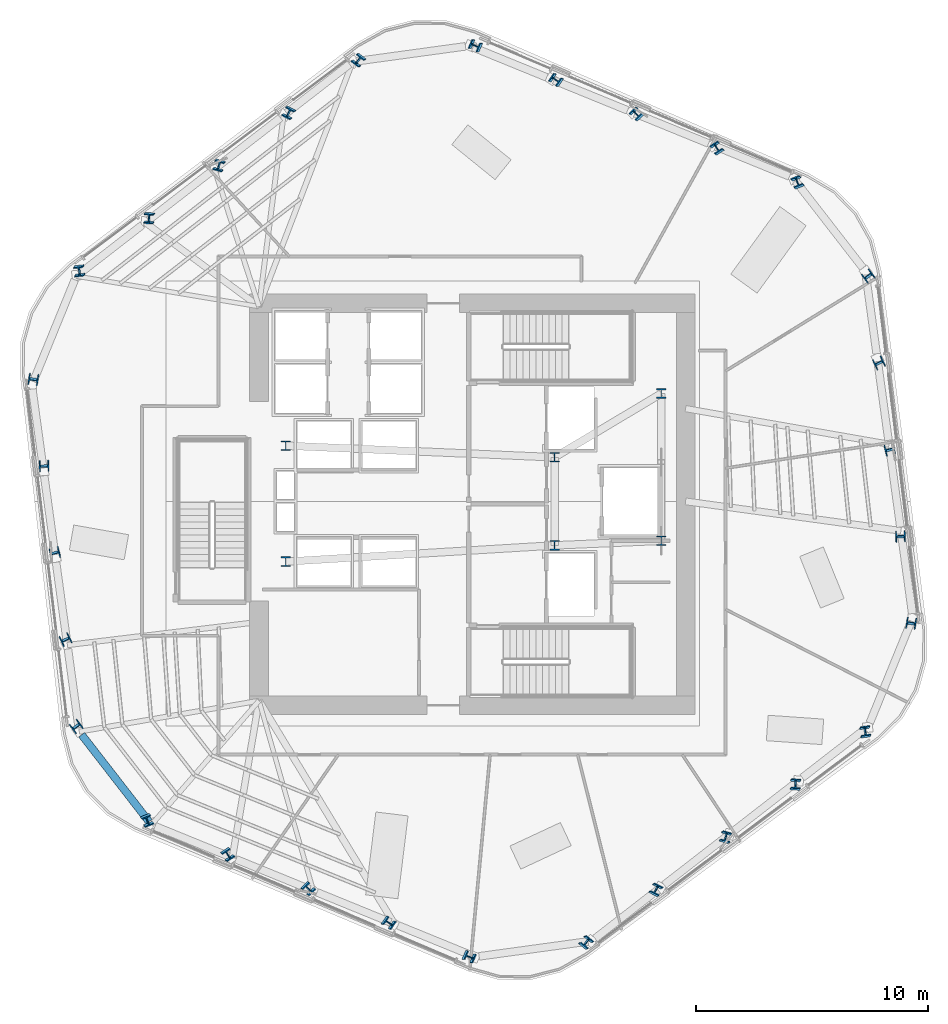
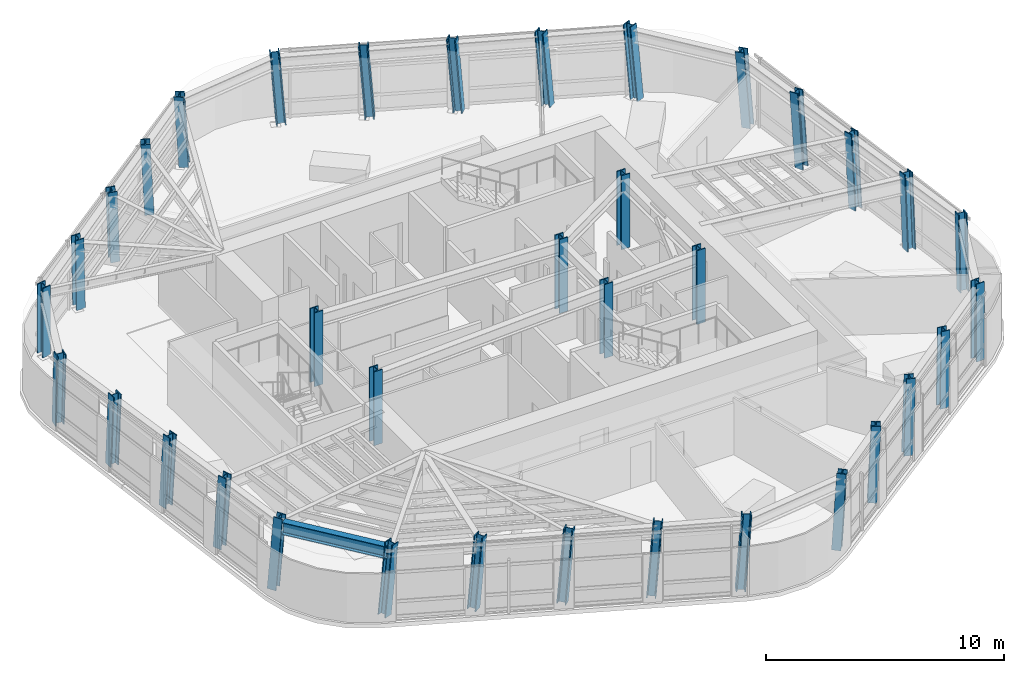
# One storey, part 1 of 14: 36 columns, 1 beam.
"""IFC4 building model written with IfcOpenShell, lengths in metres."""

from ifc_helpers import new_model, si_unit, direction, frame, origin, origin_2d, place, context, subcontext, project, spatial, i_section, extrude, material, material_profile, profile_set, type_object, element, save


model = new_model("IFC4")

# Units and contexts
model_context = context("Model", 3, precision=1e-05, world=origin(), true_north=direction((0.0, 1.0)))
body_context = subcontext(model_context, "Body", "Model", "MODEL_VIEW")
ifc_project = project(units=[si_unit("LENGTHUNIT", "METRE"), si_unit("AREAUNIT", "SQUARE_METRE"), si_unit("VOLUMEUNIT", "CUBIC_METRE"), si_unit("PLANEANGLEUNIT", "RADIAN"), si_unit("MASSUNIT", "GRAM", prefix="KILO")], contexts=[model_context])

# Site, building, storey
site_placement = place(None, origin())
site = spatial("IfcSite", under=ifc_project, at=site_placement, CompositionType="ELEMENT")
building_placement = place(site_placement, origin())
building = spatial("IfcBuilding", under=site, at=building_placement, Name="Valkerne Bourse Tower", CompositionType="ELEMENT")
storey_placement = place(building_placement, frame((0.0, 0.0, 181.800048828125)))
storey = spatial("IfcBuildingStorey", under=building, at=storey_placement, Name="L46", CompositionType="ELEMENT", Elevation=181.800048828125)

# Columns
ifc_material_1 = material(Name="Steel ASTM A913 Grade 65", Category="steel")
ifc_material_profile_1 = material_profile(ifc_material_1, i_section(OverallWidth=0.406494140625, OverallDepth=0.41650390625, WebThickness=0.02978515625, FlangeThickness=0.048095703125, FilletRadius=0.025390625, at=origin_2d()), Name="W14X257")
ifc_profile_set_1 = profile_set([ifc_material_profile_1], Name="Steel ASTM A913 Grade 65")
column_type_1 = type_object("IfcColumnType", Name="COL-W14X257", PredefinedType="COLUMN", material=ifc_profile_set_1)
column_1_placement = place(storey_placement, frame((60.855712890625, 40.7294921875, 0.010009765625), z_axis=(-0.057341361863, 0.05772749898, 0.996684254958), x_axis=(0.928165883616, 0.370795105229, 0.031923070505)))
element("IfcColumn", 1, at=column_1_placement, inside=storey, type_object=column_type_1, Name="L46 Helical Perimeter Tube Column F1-C1", PredefinedType="COLUMN", context=body_context, shape_type="SweptSolid", body=[
    extrude(i_section(OverallWidth=0.406494140625, OverallDepth=0.41650390625, WebThickness=0.02978515625, FlangeThickness=0.048095703125, FilletRadius=0.025390625, at=origin_2d()), origin(), (0.0, 0.0, 1.0), 3.793701171875),
])
column_2_placement = place(storey_placement, frame((57.386962890625, 42.208984375, 0.010009765625), z_axis=(-0.063349751811, 0.043327624968, 0.997050412898), x_axis=(0.842153931218, 0.538395806817, 0.030111647855)))
element("IfcColumn", 2, at=column_2_placement, inside=storey, type_object=column_type_1, Name="L46 Helical Perimeter Tube Column F1-C2", PredefinedType="COLUMN", context=body_context, shape_type="SweptSolid", body=[
    extrude(i_section(OverallWidth=0.406494140625, OverallDepth=0.41650390625, WebThickness=0.02978515625, FlangeThickness=0.048095703125, FilletRadius=0.025390625, at=origin_2d()), origin(), (0.0, 0.0, 1.0), 3.792236328125),
])
column_3_placement = place(storey_placement, frame((53.918212890625, 43.6884765625, 0.010009765625), z_axis=(-0.069345520274, 0.028974451368, 0.997171840751), x_axis=(0.715600832214, 0.697886818903, 0.029486216038)))
element("IfcColumn", 3, at=column_3_placement, inside=storey, type_object=column_type_1, Name="L46 Helical Perimeter Tube Column F1-C3", PredefinedType="COLUMN", context=body_context, shape_type="SweptSolid", body=[
    extrude(i_section(OverallWidth=0.406494140625, OverallDepth=0.41650390625, WebThickness=0.02978515625, FlangeThickness=0.048095703125, FilletRadius=0.025390625, at=origin_2d()), origin(), (0.0, 0.0, 1.0), 3.791748046875),
])
column_4_placement = place(storey_placement, frame((50.44970703125, 45.16796875, 0.010009765625), z_axis=(-0.075388602991, 0.014549807238, 0.99704807389), x_axis=(0.558397636682, 0.829026326516, 0.030123567041)))
element("IfcColumn", 4, at=column_4_placement, inside=storey, type_object=column_type_1, Name="L46 Helical Perimeter Tube Column F1-C4", PredefinedType="COLUMN", context=body_context, shape_type="SweptSolid", body=[
    extrude(i_section(OverallWidth=0.406494140625, OverallDepth=0.41650390625, WebThickness=0.02978515625, FlangeThickness=0.048095703125, FilletRadius=0.025390625, at=origin_2d()), origin(), (0.0, 0.0, 1.0), 3.792236328125),
])
column_5_placement = place(storey_placement, frame((46.98095703125, 46.6474609375, 0.010009765625), z_axis=(-0.081346352379, 0.000128712583, 0.996685885516), x_axis=(0.392491788923, 0.919201617444, 0.03191523329)))
element("IfcColumn", 5, at=column_5_placement, inside=storey, type_object=column_type_1, Name="L46 Helical Perimeter Tube Column F1-C5", PredefinedType="COLUMN", context=body_context, shape_type="SweptSolid", body=[
    extrude(i_section(OverallWidth=0.406494140625, OverallDepth=0.41650390625, WebThickness=0.02978515625, FlangeThickness=0.048095703125, FilletRadius=0.025390625, at=origin_2d()), origin(), (0.0, 0.0, 1.0), 3.79345703125),
])
column_6_placement = place(storey_placement, frame((41.937744140625, 46.037109375, 0.010009765625), z_axis=(-0.078707465224, -0.020722652332, 0.996682349898), x_axis=(-0.782314081727, 0.62096424237, -0.048868059399)))
element("IfcColumn", 6, at=column_6_placement, inside=storey, type_object=column_type_1, Name="L46 Helical Perimeter Tube Column F2-C1", PredefinedType="COLUMN", context=body_context, shape_type="SweptSolid", body=[
    extrude(i_section(OverallWidth=0.406494140625, OverallDepth=0.41650390625, WebThickness=0.02978515625, FlangeThickness=0.048095703125, FilletRadius=0.025390625, at=origin_2d()), origin(), (0.0, 0.0, 1.0), 3.793701171875),
])
column_7_placement = place(storey_placement, frame((38.922119140625, 43.77294921875, 0.010009765625), z_axis=(-0.069208364304, -0.033155634992, 0.997051105099), x_axis=(-0.885395278084, 0.462549626565, -0.046076507152)))
element("IfcColumn", 7, at=column_7_placement, inside=storey, type_object=column_type_1, Name="L46 Helical Perimeter Tube Column F2-C2", PredefinedType="COLUMN", context=body_context, shape_type="SweptSolid", body=[
    extrude(i_section(OverallWidth=0.406494140625, OverallDepth=0.41650390625, WebThickness=0.02978515625, FlangeThickness=0.048095703125, FilletRadius=0.025390625, at=origin_2d()), origin(), (0.0, 0.0, 1.0), 3.792236328125),
])
column_8_placement = place(storey_placement, frame((35.906494140625, 41.5087890625, 0.010009765625), z_axis=(-0.059751755135, -0.045586468357, 0.997171801477), x_axis=(-0.961063161584, 0.272619380687, -0.045125078609)))
element("IfcColumn", 8, at=column_8_placement, inside=storey, type_object=column_type_1, Name="L46 Helical Perimeter Tube Column F2-C3", PredefinedType="COLUMN", context=body_context, shape_type="SweptSolid", body=[
    extrude(i_section(OverallWidth=0.406494140625, OverallDepth=0.41650390625, WebThickness=0.02978515625, FlangeThickness=0.048095703125, FilletRadius=0.025390625, at=origin_2d()), origin(), (0.0, 0.0, 1.0), 3.791748046875),
])
column_9_placement = place(storey_placement, frame((32.890869140625, 39.24462890625, 0.010009765625), z_axis=(-0.050280586385, -0.058006156636, 0.997049220663), x_axis=(-0.996380129698, 0.071429951318, -0.046091205214)))
element("IfcColumn", 9, at=column_9_placement, inside=storey, type_object=column_type_1, Name="L46 Helical Perimeter Tube Column F2-C4", PredefinedType="COLUMN", context=body_context, shape_type="SweptSolid", body=[
    extrude(i_section(OverallWidth=0.406494140625, OverallDepth=0.41650390625, WebThickness=0.02978515625, FlangeThickness=0.048095703125, FilletRadius=0.025390625, at=origin_2d()), origin(), (0.0, 0.0, 1.0), 3.792236328125),
])
column_10_placement = place(storey_placement, frame((29.875244140625, 36.98046875, 0.010009765625), z_axis=(-0.040801796504, -0.07040562362, 0.996683631633), x_axis=(-0.991953344275, -0.116796389619, -0.048858634372)))
element("IfcColumn", 10, at=column_10_placement, inside=storey, type_object=column_type_1, Name="L46 Helical Perimeter Tube Column F2-C5", PredefinedType="COLUMN", context=body_context, shape_type="SweptSolid", body=[
    extrude(i_section(OverallWidth=0.406494140625, OverallDepth=0.41650390625, WebThickness=0.02978515625, FlangeThickness=0.048095703125, FilletRadius=0.025390625, at=origin_2d()), origin(), (0.0, 0.0, 1.0), 3.793701171875),
])
column_11_placement = place(storey_placement, frame((27.882080078125, 32.3076171875, 0.010009765625), z_axis=(-0.021366355792, -0.078450565392, 0.996689012496), x_axis=(-0.144100866209, -0.986265351619, -0.080719245251)))
element("IfcColumn", 11, at=column_11_placement, inside=storey, type_object=column_type_1, Name="L46 Helical Perimeter Tube Column F3-C1", PredefinedType="COLUMN", context=body_context, shape_type="SweptSolid", body=[
    extrude(i_section(OverallWidth=0.406494140625, OverallDepth=0.41650390625, WebThickness=0.02978515625, FlangeThickness=0.048095703125, FilletRadius=0.025390625, at=origin_2d()), origin(), (0.0, 0.0, 1.0), 3.79345703125),
])
column_12_placement = place(storey_placement, frame((28.335205078125, 28.56396484375, 0.010009765625), z_axis=(-0.005922932, -0.076547458136, 0.997048346636), x_axis=(0.043418253638, -0.996145238727, -0.076220198199)))
element("IfcColumn", 12, at=column_12_placement, inside=storey, type_object=column_type_1, Name="L46 Helical Perimeter Tube Column F3-C2", PredefinedType="COLUMN", context=body_context, shape_type="SweptSolid", body=[
    extrude(i_section(OverallWidth=0.406494140625, OverallDepth=0.41650390625, WebThickness=0.02978515625, FlangeThickness=0.048095703125, FilletRadius=0.025390625, at=origin_2d()), origin(), (0.0, 0.0, 1.0), 3.792236328125),
])
column_13_placement = place(storey_placement, frame((28.7880859375, 24.8203125, 0.010009765625), z_axis=(0.009658129735, -0.074560761555, 0.997169701388), x_axis=(0.246310562629, -0.966312632172, -0.074639156225)))
element("IfcColumn", 13, at=column_13_placement, inside=storey, type_object=column_type_1, Name="L46 Helical Perimeter Tube Column F3-C3", PredefinedType="COLUMN", context=body_context, shape_type="SweptSolid", body=[
    extrude(i_section(OverallWidth=0.406494140625, OverallDepth=0.41650390625, WebThickness=0.02978515625, FlangeThickness=0.048095703125, FilletRadius=0.025390625, at=origin_2d()), origin(), (0.0, 0.0, 1.0), 3.791748046875),
])
column_14_placement = place(storey_placement, frame((29.2412109375, 21.07666015625, 0.010009765625), z_axis=(0.025108079017, -0.072555910389, 0.997048255721), x_axis=(0.437228570009, -0.896114657997, -0.076221370302)))
element("IfcColumn", 14, at=column_14_placement, inside=storey, type_object=column_type_1, Name="L46 Helical Perimeter Tube Column F3-C4", PredefinedType="COLUMN", context=body_context, shape_type="SweptSolid", body=[
    extrude(i_section(OverallWidth=0.406494140625, OverallDepth=0.41650390625, WebThickness=0.02978515625, FlangeThickness=0.048095703125, FilletRadius=0.025390625, at=origin_2d()), origin(), (0.0, 0.0, 1.0), 3.792236328125),
])
for number, where, z_axis, x_axis, name in (
    (15, (29.694091796875, 17.3330078125, 0.010009765625), (0.040608678871, -0.070534250463, 0.996682424201), (0.597803973687, -0.797559947037, -0.080799380729), "L46 Helical Perimeter Tube Column F3-C5"),
    (16, (32.744384765625, 13.2705078125, 0.010009765625), (0.057341361863, -0.05772749898, 0.996684254958), (0.928165883616, 0.370795105229, -0.031923070505), "L46 Helical Perimeter Tube Column F4-C1"),
):
    element("IfcColumn", number, at=place(storey_placement, frame(where, z_axis=z_axis, x_axis=x_axis)), inside=storey, type_object=column_type_1, Name=name, PredefinedType="COLUMN", context=body_context, shape_type="SweptSolid", body=[
        extrude(i_section(OverallWidth=0.406494140625, OverallDepth=0.41650390625, WebThickness=0.02978515625, FlangeThickness=0.048095703125, FilletRadius=0.025390625, at=origin_2d()), origin(), (0.0, 0.0, 1.0), 3.793701171875),
    ])
column_15_placement = place(storey_placement, frame((36.213134765625, 11.791015625, 0.010009765625), z_axis=(0.063349751811, -0.043327624968, 0.997050412898), x_axis=(0.842153931218, 0.538395806817, -0.030111647855)))
element("IfcColumn", 17, at=column_15_placement, inside=storey, type_object=column_type_1, Name="L46 Helical Perimeter Tube Column F4-C2", PredefinedType="COLUMN", context=body_context, shape_type="SweptSolid", body=[
    extrude(i_section(OverallWidth=0.406494140625, OverallDepth=0.41650390625, WebThickness=0.02978515625, FlangeThickness=0.048095703125, FilletRadius=0.025390625, at=origin_2d()), origin(), (0.0, 0.0, 1.0), 3.792236328125),
])
column_16_placement = place(storey_placement, frame((39.681640625, 10.3115234375, 0.010009765625), z_axis=(0.069345520274, -0.028974451368, 0.997171840751), x_axis=(0.715600832214, 0.697886818903, -0.029486216038)))
element("IfcColumn", 18, at=column_16_placement, inside=storey, type_object=column_type_1, Name="L46 Helical Perimeter Tube Column F4-C3", PredefinedType="COLUMN", context=body_context, shape_type="SweptSolid", body=[
    extrude(i_section(OverallWidth=0.406494140625, OverallDepth=0.41650390625, WebThickness=0.02978515625, FlangeThickness=0.048095703125, FilletRadius=0.025390625, at=origin_2d()), origin(), (0.0, 0.0, 1.0), 3.791748046875),
])
column_17_placement = place(storey_placement, frame((43.150390625, 8.83203125, 0.010009765625), z_axis=(0.075388602991, -0.014549807238, 0.99704807389), x_axis=(0.558397636682, 0.829026326516, -0.030123567041)))
element("IfcColumn", 19, at=column_17_placement, inside=storey, type_object=column_type_1, Name="L46 Helical Perimeter Tube Column F4-C4", PredefinedType="COLUMN", context=body_context, shape_type="SweptSolid", body=[
    extrude(i_section(OverallWidth=0.406494140625, OverallDepth=0.41650390625, WebThickness=0.02978515625, FlangeThickness=0.048095703125, FilletRadius=0.025390625, at=origin_2d()), origin(), (0.0, 0.0, 1.0), 3.792236328125),
])
column_18_placement = place(storey_placement, frame((46.618896484375, 7.3525390625, 0.010009765625), z_axis=(0.081410282308, -0.000128711909, 0.996680665694), x_axis=(0.392488591248, 0.919202111614, -0.031940315342)))
element("IfcColumn", 20, at=column_18_placement, inside=storey, type_object=column_type_1, Name="L46 Helical Perimeter Tube Column F4-C5", PredefinedType="COLUMN", context=body_context, shape_type="SweptSolid", body=[
    extrude(i_section(OverallWidth=0.406494140625, OverallDepth=0.41650390625, WebThickness=0.02978515625, FlangeThickness=0.048095703125, FilletRadius=0.025390625, at=origin_2d()), origin(), (0.0, 0.0, 1.0), 3.793701171875),
])
column_19_placement = place(storey_placement, frame((51.662353515625, 7.962890625, 0.010009765625), z_axis=(0.078643507352, 0.020722757256, 0.99668739637), x_axis=(-0.782442106423, 0.620805838694, 0.048830940401)))
element("IfcColumn", 21, at=column_19_placement, inside=storey, type_object=column_type_1, Name="L46 Helical Perimeter Tube Column F5-C1", PredefinedType="COLUMN", context=body_context, shape_type="SweptSolid", body=[
    extrude(i_section(OverallWidth=0.406494140625, OverallDepth=0.41650390625, WebThickness=0.02978515625, FlangeThickness=0.048095703125, FilletRadius=0.025390625, at=origin_2d()), origin(), (0.0, 0.0, 1.0), 3.79345703125),
])
column_20_placement = place(storey_placement, frame((54.677978515625, 10.22705078125, 0.010009765625), z_axis=(0.069208364304, 0.033155634992, 0.997051105099), x_axis=(-0.885395278084, 0.462549626565, 0.046076507152)))
element("IfcColumn", 22, at=column_20_placement, inside=storey, type_object=column_type_1, Name="L46 Helical Perimeter Tube Column F5-C2", PredefinedType="COLUMN", context=body_context, shape_type="SweptSolid", body=[
    extrude(i_section(OverallWidth=0.406494140625, OverallDepth=0.41650390625, WebThickness=0.02978515625, FlangeThickness=0.048095703125, FilletRadius=0.025390625, at=origin_2d()), origin(), (0.0, 0.0, 1.0), 3.792236328125),
])
column_21_placement = place(storey_placement, frame((57.693603515625, 12.4912109375, 0.010009765625), z_axis=(0.059751755135, 0.045586468357, 0.997171801477), x_axis=(-0.961063161584, 0.272619380687, 0.045125078609)))
element("IfcColumn", 23, at=column_21_placement, inside=storey, type_object=column_type_1, Name="L46 Helical Perimeter Tube Column F5-C3", PredefinedType="COLUMN", context=body_context, shape_type="SweptSolid", body=[
    extrude(i_section(OverallWidth=0.406494140625, OverallDepth=0.41650390625, WebThickness=0.02978515625, FlangeThickness=0.048095703125, FilletRadius=0.025390625, at=origin_2d()), origin(), (0.0, 0.0, 1.0), 3.791748046875),
])
column_22_placement = place(storey_placement, frame((60.709228515625, 14.75537109375, 0.010009765625), z_axis=(0.050280586385, 0.058006156636, 0.997049220663), x_axis=(-0.996380129698, 0.071429951318, 0.046091205214)))
element("IfcColumn", 24, at=column_22_placement, inside=storey, type_object=column_type_1, Name="L46 Helical Perimeter Tube Column F5-C4", PredefinedType="COLUMN", context=body_context, shape_type="SweptSolid", body=[
    extrude(i_section(OverallWidth=0.406494140625, OverallDepth=0.41650390625, WebThickness=0.02978515625, FlangeThickness=0.048095703125, FilletRadius=0.025390625, at=origin_2d()), origin(), (0.0, 0.0, 1.0), 3.792236328125),
])
for number, where, z_axis, x_axis, name in (
    (25, (63.724853515625, 17.01953125, 0.010009765625), (0.040737547244, 0.070405808349, 0.996686246717), (-0.991873946667, -0.117476750974, 0.048839399096), "L46 Helical Perimeter Tube Column F5-C5"),
    (26, (65.718017578125, 21.6923828125, 0.010009765625), (0.021302028546, 0.078450673105, 0.996690380945), (-0.143347816849, -0.986376447062, 0.080702590324), "L46 Helical Perimeter Tube Column F6-C1"),
):
    element("IfcColumn", number, at=place(storey_placement, frame(where, z_axis=z_axis, x_axis=x_axis)), inside=storey, type_object=column_type_1, Name=name, PredefinedType="COLUMN", context=body_context, shape_type="SweptSolid", body=[
        extrude(i_section(OverallWidth=0.406494140625, OverallDepth=0.41650390625, WebThickness=0.02978515625, FlangeThickness=0.048095703125, FilletRadius=0.025390625, at=origin_2d()), origin(), (0.0, 0.0, 1.0), 3.79345703125),
    ])
column_23_placement = place(storey_placement, frame((65.264892578125, 25.43603515625, 0.010009765625), z_axis=(0.005858554527, 0.076547487166, 0.997048724761), x_axis=(0.044251078183, -0.996108963217, 0.076215323119)))
element("IfcColumn", 27, at=column_23_placement, inside=storey, type_object=column_type_1, Name="L46 Helical Perimeter Tube Column F6-C2", PredefinedType="COLUMN", context=body_context, shape_type="SweptSolid", body=[
    extrude(i_section(OverallWidth=0.406494140625, OverallDepth=0.41650390625, WebThickness=0.02978515625, FlangeThickness=0.048095703125, FilletRadius=0.025390625, at=origin_2d()), origin(), (0.0, 0.0, 1.0), 3.792236328125),
])
column_24_placement = place(storey_placement, frame((64.811767578125, 29.1796875, 0.010009765625), z_axis=(-0.00959374815, 0.074560807767, 0.997170319425), x_axis=(0.245489765651, -0.966522108441, 0.074631018057)))
element("IfcColumn", 28, at=column_24_placement, inside=storey, type_object=column_type_1, Name="L46 Helical Perimeter Tube Column F6-C3", PredefinedType="COLUMN", context=body_context, shape_type="SweptSolid", body=[
    extrude(i_section(OverallWidth=0.406494140625, OverallDepth=0.41650390625, WebThickness=0.02978515625, FlangeThickness=0.048095703125, FilletRadius=0.025390625, at=origin_2d()), origin(), (0.0, 0.0, 1.0), 3.791748046875),
])
column_25_placement = place(storey_placement, frame((64.35888671875, 32.92333984375, 0.010009765625), z_axis=(-0.025108079017, 0.072555910389, 0.997048255721), x_axis=(0.437228570009, -0.896114657997, 0.076221370302)))
element("IfcColumn", 29, at=column_25_placement, inside=storey, type_object=column_type_1, Name="L46 Helical Perimeter Tube Column F6-C4", PredefinedType="COLUMN", context=body_context, shape_type="SweptSolid", body=[
    extrude(i_section(OverallWidth=0.406494140625, OverallDepth=0.41650390625, WebThickness=0.02978515625, FlangeThickness=0.048095703125, FilletRadius=0.025390625, at=origin_2d()), origin(), (0.0, 0.0, 1.0), 3.792236328125),
])
column_26_placement = place(storey_placement, frame((63.90576171875, 36.6669921875, 0.010009765625), z_axis=(-0.040608678871, 0.070534250463, 0.996682424201), x_axis=(0.597803973687, -0.797559947037, 0.080799380729)))
element("IfcColumn", 30, at=column_26_placement, inside=storey, type_object=column_type_1, Name="L46 Helical Perimeter Tube Column F6-C5", PredefinedType="COLUMN", context=body_context, shape_type="SweptSolid", body=[
    extrude(i_section(OverallWidth=0.406494140625, OverallDepth=0.41650390625, WebThickness=0.02978515625, FlangeThickness=0.048095703125, FilletRadius=0.025390625, at=origin_2d()), origin(), (0.0, 0.0, 1.0), 3.793701171875),
])
ifc_material_profile_2 = material_profile(ifc_material_1, i_section(OverallWidth=0.408935546875, OverallDepth=0.42431640625, WebThickness=0.03271484375, FlangeThickness=0.052490234375, FilletRadius=0.025390625, at=origin_2d()), Name="W14X283")
ifc_profile_set_2 = profile_set([ifc_material_profile_2], Name="Steel ASTM A913 Grade 65")
column_type_2 = type_object("IfcColumnType", Name="COL-W14X283", PredefinedType="COLUMN", material=ifc_profile_set_2)
for number, where, z_axis, x_axis, name in (
    (31, (38.75, 24.39990234375, 0.0048828125), (0.0, 0.0, 1.0), (1.0, 0.0, 0.0), "L46 Core Frame Column CC-SW"),
    (32, (38.75, 29.39990234375, 0.0048828125), (0.0, 0.0, 1.0), (1.0, 0.0, 0.0), "L46 Core Frame Column CC-NW"),
    (33, (50.35009765625, 25.10009765625, 0.0048828125), (0.0, 0.0, 1.0), (1.0, 0.0, 0.0), "L46 Core Frame Column CC-CE1"),
    (34, (50.35009765625, 28.89990234375, 0.0048828125), (0.0, 0.0, 1.0), (1.0, 0.0, 0.0), "L46 Core Frame Column CC-CE2"),
    (35, (54.949951171875, 25.300048828125, 0.0048828125), (0.0, 0.0, 1.0), (1.0, 0.0, 0.0), "L46 Core Frame Column CC-SE"),
    (36, (54.949951171875, 31.64990234375, 0.0048828125), (0.0, 0.0, 1.0), (1.0, 0.0, 0.0), "L46 Core Frame Column CC-NE"),
):
    element("IfcColumn", number, at=place(storey_placement, frame(where, z_axis=z_axis, x_axis=x_axis)), inside=storey, type_object=column_type_2, Name=name, PredefinedType="COLUMN", context=body_context, shape_type="SweptSolid", body=[
        extrude(i_section(OverallWidth=0.408935546875, OverallDepth=0.42431640625, WebThickness=0.03271484375, FlangeThickness=0.052490234375, FilletRadius=0.025390625, at=origin_2d()), origin(), (0.0, 0.0, 1.0), 3.795166015625),
    ])

# Beam
ifc_material_2 = material(Name="Steel ASTM A992", Category="steel")
ifc_material_profile_3 = material_profile(ifc_material_2, i_section(OverallWidth=0.32763671875, OverallDepth=0.62744140625, WebThickness=0.0166015625, FlangeThickness=0.027587890625, FilletRadius=0.020263671875, at=origin_2d()), Name="W24X146")
ifc_profile_set_3 = profile_set([ifc_material_profile_3], Name="Steel ASTM A992")
beam_type = type_object("IfcBeamType", Name="BM-W24X146", PredefinedType="SPANDREL", material=ifc_profile_set_3)
beam_placement = place(storey_placement, frame((29.952392578125, 16.93115234375, 3.266357421875), z_axis=(0.612916720756, -0.790147513707, 0.0), x_axis=(0.790147513707, 0.612916720756, 0.0)))
element("IfcBeam", 37, at=beam_placement, inside=storey, type_object=beam_type, Name="L46 Hexagonal Spandrel Ring Beam 14", PredefinedType="SPANDREL", context=body_context, shape_type="SweptSolid", body=[
    extrude(i_section(OverallWidth=0.32763671875, OverallDepth=0.62744140625, WebThickness=0.0166015625, FlangeThickness=0.027587890625, FilletRadius=0.020263671875, at=origin_2d()), origin(), (0.0, 0.0, 1.0), 4.739990234375),
])

save(model, "model.ifc")
